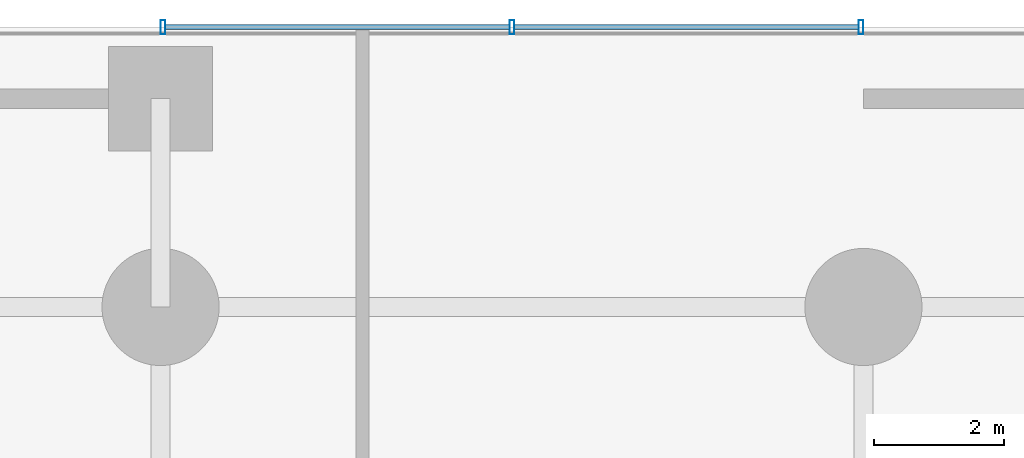
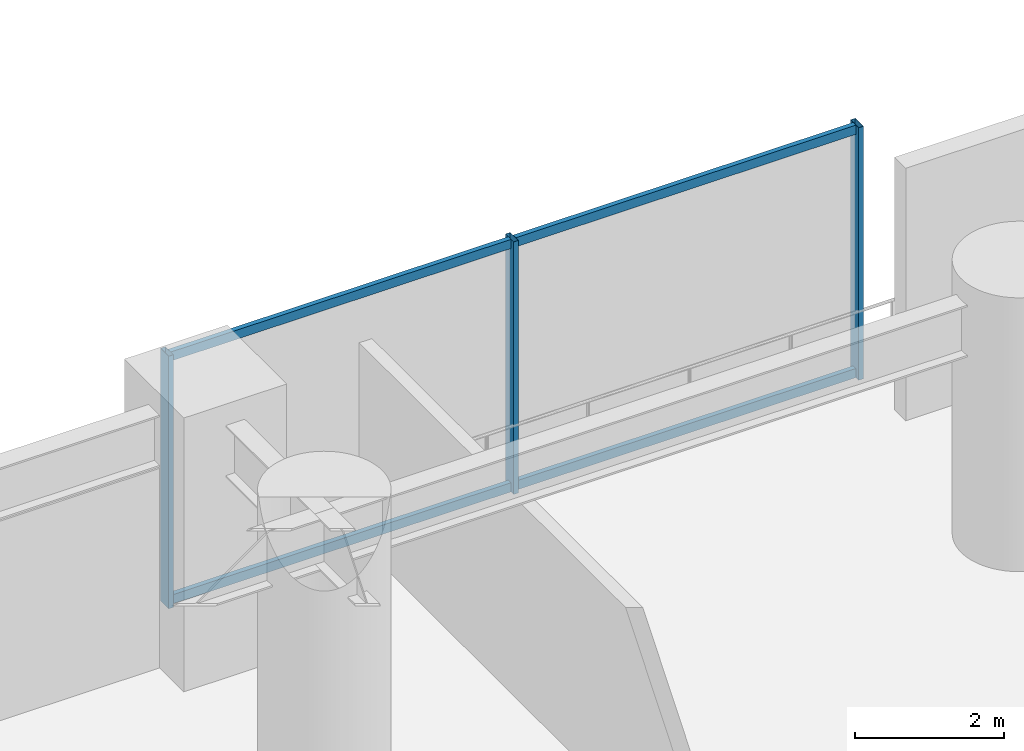
# One storey, part 17 of 35: 7 members, 1 element without a shape of its own.
"""IFC4 building model written with IfcOpenShell, lengths in metres."""

import ifcopenshell
import ifcopenshell.guid

model = None  # the IFC model being written
_history = None  # IfcOwnerHistory: only IFC2X3 demands one
_inside = {}  # id of a spatial element -> (the spatial element, [elements in it])
_under = {}  # id of a project, library or spatial element -> (it, [spatial elements below it])
_declared = {}  # id of a project -> (the project, [libraries it declares])
_typed = {}  # id of a type object -> (the type object, [elements of that type])
_made_of = {}  # id of a material, layer set ... -> (it, [elements and type objects made of it])


def new_model(schema):
    """Start an empty IFC model of exactly this schema.

    Asked for "IFC4X3", IfcOpenShell would pick the latest addendum, in which some entities
    have other attributes; the version numbers below select the first issue.
    IFC2X3 requires an IfcOwnerHistory on every rooted entity: one is made here for all.
    """
    global model, _history
    if schema == "IFC4X3":
        model = ifcopenshell.file(schema_version=(4, 3, 0, 0))
    else:
        model = ifcopenshell.file(schema=schema)
    _inside.clear()
    _under.clear()
    _declared.clear()
    _typed.clear()
    _made_of.clear()
    _history = None
    if model.schema == "IFC2X3":
        org = make("IfcOrganization", Name="unknown")
        user = make(
            "IfcPersonAndOrganization",
            ThePerson=make("IfcPerson", FamilyName="unknown"),
            TheOrganization=org,
        )
        app = make(
            "IfcApplication",
            ApplicationDeveloper=org,
            Version="unknown",
            ApplicationFullName="unknown",
            ApplicationIdentifier="unknown",
        )
        _history = make(
            "IfcOwnerHistory",
            OwningUser=user,
            OwningApplication=app,
            ChangeAction="ADDED",
            CreationDate=0,
        )
    return model


def make(cls, **values):
    """One entity of the class cls with the attributes given. An attribute that is None is left unset."""
    return model.create_entity(
        cls, **{name: value for name, value in values.items() if value is not None}
    )


def rooted(cls, **values):
    """An entity with a GlobalId (a new one), such as an element, a storey or a relation."""
    return make(cls, GlobalId=ifcopenshell.guid.new(), OwnerHistory=_history, **values)


def si_unit(unit_type, name, prefix=None):
    """IfcSIUnit, for example si_unit("LENGTHUNIT", "METRE", prefix="MILLI")."""
    return make("IfcSIUnit", UnitType=unit_type, Prefix=prefix, Name=name)


def assignment(units):
    """IfcUnitAssignment: the units of a project."""
    return None if units is None else make("IfcUnitAssignment", Units=units)


def point(xyz):
    """IfcCartesianPoint."""
    return None if xyz is None else make("IfcCartesianPoint", Coordinates=xyz)


def direction(xyz):
    """IfcDirection."""
    return None if xyz is None else make("IfcDirection", DirectionRatios=xyz)


def frame(location, z_axis=None, x_axis=None):
    """IfcAxis2Placement3D, a coordinate frame: its origin and axes. An axis left out is left unset."""
    return make(
        "IfcAxis2Placement3D",
        Location=point(location),
        Axis=direction(z_axis),
        RefDirection=direction(x_axis),
    )


def frame_2d(location, x_axis=None):
    """IfcAxis2Placement2D, a coordinate frame in the plane: its origin and x axis."""
    return make(
        "IfcAxis2Placement2D", Location=point(location), RefDirection=direction(x_axis)
    )


def origin():
    """The frame at (0, 0, 0) with its axes left unset."""
    return frame((0.0, 0.0, 0.0))


def origin_2d():
    """The frame at (0, 0) in the plane with its x axis left unset."""
    return frame_2d((0.0, 0.0))


def place(relative_to, where):
    """IfcLocalPlacement: puts the frame where relative to a parent placement (None: the world)."""
    return make(
        "IfcLocalPlacement", PlacementRelTo=relative_to, RelativePlacement=where
    )


def context(
    kind, dimensions, precision=None, world=None, true_north=None, identifier=None
):
    """IfcGeometricRepresentationContext, for example the 3D "Model" context."""
    return make(
        "IfcGeometricRepresentationContext",
        ContextIdentifier=identifier,
        ContextType=kind,
        CoordinateSpaceDimension=dimensions,
        Precision=precision,
        WorldCoordinateSystem=world,
        TrueNorth=true_north,
    )


def subcontext(parent, identifier, kind, view, scale=None):
    """IfcGeometricRepresentationSubContext, for example "Body" below "Model"."""
    return make(
        "IfcGeometricRepresentationSubContext",
        ContextIdentifier=identifier,
        ContextType=kind,
        ParentContext=parent,
        TargetScale=scale,
        TargetView=view,
    )


def project(units=None, contexts=None):
    """IfcProject with its units and contexts."""
    return rooted(
        "IfcProject",
        Name="project",
        RepresentationContexts=contexts,
        UnitsInContext=assignment(units),
    )


def spatial(cls, under=None, at=None, **own):
    """A site, building, storey or space (cls), placed at a placement, below another one or the project."""
    s = rooted(cls, ObjectPlacement=at, **own)
    if under is not None:
        _under.setdefault(under.id(), (under, []))[1].append(s)
    return s


def profile(cls, at=None, kind="AREA", **sizes):
    """A parametric profile (cls). Its sizes go by their IFC names, for example OverallWidth=200.0."""
    return make(cls, ProfileType=kind, Position=at, **sizes)


def hollow_rectangle(**sizes):
    """IfcRectangleHollowProfileDef."""
    return profile("IfcRectangleHollowProfileDef", **sizes)


def extrude(swept, where, along, depth):
    """IfcExtrudedAreaSolid: the profile swept, set in the frame where, extruded along a direction by depth."""
    return make(
        "IfcExtrudedAreaSolid",
        SweptArea=swept,
        Position=where,
        ExtrudedDirection=direction(along),
        Depth=depth,
    )


def shape(context_of_items, identifier, shape_type, items):
    """IfcShapeRepresentation: the items that make up one representation, for example the "Body"."""
    return make(
        "IfcShapeRepresentation",
        ContextOfItems=context_of_items,
        RepresentationIdentifier=identifier,
        RepresentationType=shape_type,
        Items=items,
    )


def material(Name=None, Category=None):
    """IfcMaterial."""
    return make("IfcMaterial", Name=Name, Category=Category)


def layer(
    of_material, thickness, ventilated=None, Name=None, Category=None, Priority=None
):
    """IfcMaterialLayer: one layer of a wall or slab, of a material (None: an air gap)."""
    return make(
        "IfcMaterialLayer",
        Material=of_material,
        LayerThickness=thickness,
        IsVentilated=ventilated,
        Name=Name,
        Category=Category,
        Priority=Priority,
    )


def layer_set(layers, Name=None):
    """IfcMaterialLayerSet."""
    return make("IfcMaterialLayerSet", MaterialLayers=layers, LayerSetName=Name)


def material_profile(
    of_material, cross_section, Name=None, Category=None, Priority=None
):
    """IfcMaterialProfile: a cross section and its material."""
    return make(
        "IfcMaterialProfile",
        Name=Name,
        Material=of_material,
        Profile=cross_section,
        Priority=Priority,
        Category=Category,
    )


def profile_set(profiles, Name=None, composite=None):
    """IfcMaterialProfileSet."""
    return make(
        "IfcMaterialProfileSet",
        Name=Name,
        MaterialProfiles=profiles,
        CompositeProfile=composite,
    )


def made_of(thing, what):
    """Note that an element or type object is made of a material, layer set ...; save() writes the relation."""
    if what is not None:
        _made_of.setdefault(what.id(), (what, []))[1].append(thing)
    return thing


def type_object(cls, material=None, **own):
    """A type object (cls), such as IfcWallType, which elements share."""
    return made_of(rooted(cls, **own), material)


def element(
    cls,
    number,
    at=None,
    inside=None,
    cuts=None,
    type_object=None,
    material=None,
    context=None,
    identifier="Body",
    shape_type=None,
    held_by="IfcProductDefinitionShape",
    body=None,
    shapes=None,
    **own,
):
    """One element of the class cls, such as IfcWall. Its Tag is "e" and its number.

    at: its placement. inside: the storey or other place that contains it. cuts: it is an
    opening in that element (IfcRelVoidsElement). A single representation is given by context,
    identifier, shape_type and body (its items); several are given by shapes. held_by: the class
    of the entity that holds the representations. save() writes the other relations.
    """
    e = rooted(cls, Tag="e%d" % number, ObjectPlacement=at, **own)
    if body is not None:
        shapes = [shape(context, identifier, shape_type, body)]
    if shapes is not None:
        e.Representation = make(held_by, Representations=shapes)
    if inside is not None:
        _inside.setdefault(inside.id(), (inside, []))[1].append(e)
    if cuts is not None:
        rooted(
            "IfcRelVoidsElement", RelatingBuildingElement=cuts, RelatedOpeningElement=e
        )
    if type_object is not None:
        _typed.setdefault(type_object.id(), (type_object, []))[1].append(e)
    return made_of(e, material)


def aggregate(whole, parts):
    """IfcRelAggregates: a whole, such as a stair, and the parts it consists of."""
    return rooted("IfcRelAggregates", RelatingObject=whole, RelatedObjects=parts)


def save(model, path):
    """Write the relations noted so far, then the file.

    IfcRelAggregates (storeys below a building ...), IfcRelContainedInSpatialStructure (elements
    in a storey), IfcRelDefinesByType, IfcRelAssociatesMaterial and IfcRelDeclares: one each for
    every whole, place, type object, material and project.
    """
    for whole, parts in _under.values():
        aggregate(whole, parts)
    for where, things in _inside.values():
        rooted(
            "IfcRelContainedInSpatialStructure",
            RelatedElements=things,
            RelatingStructure=where,
        )
    for kind, things in _typed.values():
        rooted("IfcRelDefinesByType", RelatedObjects=things, RelatingType=kind)
    for what, things in _made_of.values():
        rooted("IfcRelAssociatesMaterial", RelatedObjects=things, RelatingMaterial=what)
    for by, libraries in _declared.values():
        rooted("IfcRelDeclares", RelatingContext=by, RelatedDefinitions=libraries)
    model.write(path)


model = new_model("IFC4")

# Units and contexts
model_context = context("Model", 3, precision=1e-05, world=origin(), true_north=direction((0.0, 1.0)))
body_context = subcontext(model_context, "Body", "Model", "MODEL_VIEW")
ifc_project = project(units=[si_unit("LENGTHUNIT", "METRE"), si_unit("AREAUNIT", "SQUARE_METRE"), si_unit("VOLUMEUNIT", "CUBIC_METRE"), si_unit("PLANEANGLEUNIT", "RADIAN"), si_unit("MASSUNIT", "GRAM", prefix="KILO")], contexts=[model_context])

# Site, building, storey
site_placement = place(None, origin())
site = spatial("IfcSite", under=ifc_project, at=site_placement, CompositionType="ELEMENT")
building_placement = place(site_placement, origin())
building = spatial("IfcBuilding", under=site, at=building_placement, Name="Surkhivell Harbour Commons", CompositionType="ELEMENT")
storey_placement = place(building_placement, frame((0.0, 0.0, 13.5)))
storey = spatial("IfcBuildingStorey", under=building, at=storey_placement, Name="L03", CompositionType="ELEMENT", Elevation=13.5)

# Curtain wall, members
ifc_material_1 = material(Name="Anodised pale-metal aluminium and insulated glazing", Category="aluminium")
ifc_layer = layer(ifc_material_1, 0.239990234375)
ifc_layer_set = layer_set([ifc_layer], Name="Anodised pale-metal aluminium and insulated glazing")
curtain_wall_type = type_object("IfcCurtainWallType", Name="CW-SYS-POD", PredefinedType="NOTDEFINED", material=ifc_layer_set)
curtain_wall_placement = place(storey_placement, origin())
curtain_wall = element("IfcCurtainWall", 1, at=curtain_wall_placement, inside=storey, type_object=curtain_wall_type, Name="L03 Curtain Wall CW-L03-N6", PredefinedType="NOTDEFINED")
ifc_material_2 = material(Name="Anodised pale-metal aluminium alloy 6063-T6", Category="aluminium")
ifc_material_profile_1 = material_profile(ifc_material_2, hollow_rectangle(XDim=0.074951171875, YDim=0.219970703125, WallThickness=0.00390625, at=origin_2d()), Name="ALU-MULL-75x220")
ifc_profile_set_1 = profile_set([ifc_material_profile_1], Name="Anodised pale-metal aluminium alloy 6063-T6")
member_type_1 = type_object("IfcMemberType", Name="CWM-220", PredefinedType="MULLION", material=ifc_profile_set_1)
member_1_placement = place(storey_placement, frame((10.83740234375, 25.89990234375, 0.0), z_axis=(0.0, 0.0, 1.0), x_axis=(1.0, 0.0, 0.0)))
member_1 = element("IfcMember", 2, at=member_1_placement, type_object=member_type_1, Name="CW-POD mullion 1", PredefinedType="MULLION", context=body_context, shape_type="SweptSolid", body=[
    extrude(hollow_rectangle(XDim=0.074951171875, YDim=0.219970703125, WallThickness=0.00390625, at=origin_2d()), origin(), (0.0, 0.0, 1.0), 4.14990234375),
])
member_2_placement = place(storey_placement, frame((16.199951171875, 25.89990234375, 0.0), z_axis=(0.0, 0.0, 1.0), x_axis=(1.0, 0.0, 0.0)))
member_2 = element("IfcMember", 3, at=member_2_placement, type_object=member_type_1, Name="CW-POD mullion 2", PredefinedType="MULLION", context=body_context, shape_type="SweptSolid", body=[
    extrude(hollow_rectangle(XDim=0.074951171875, YDim=0.219970703125, WallThickness=0.00390625, at=origin_2d()), origin(), (0.0, 0.0, 1.0), 4.14990234375),
])
member_3_placement = place(storey_placement, frame((21.5625, 25.89990234375, 0.0), z_axis=(0.0, 0.0, 1.0), x_axis=(1.0, 0.0, 0.0)))
member_3 = element("IfcMember", 4, at=member_3_placement, type_object=member_type_1, Name="CW-POD mullion 3", PredefinedType="MULLION", context=body_context, shape_type="SweptSolid", body=[
    extrude(hollow_rectangle(XDim=0.074951171875, YDim=0.219970703125, WallThickness=0.00390625, at=origin_2d()), origin(), (0.0, 0.0, 1.0), 4.14990234375),
])
ifc_material_profile_2 = material_profile(ifc_material_2, hollow_rectangle(XDim=0.074951171875, YDim=0.14990234375, WallThickness=0.00341796875, at=origin_2d()), Name="ALU-TRAN-75x150")
ifc_profile_set_2 = profile_set([ifc_material_profile_2], Name="Anodised pale-metal aluminium alloy 6063-T6")
member_type_2 = type_object("IfcMemberType", Name="CWT-150", PredefinedType="USERDEFINED", material=ifc_profile_set_2)
member_4_placement = place(storey_placement, frame((10.875, 25.89990234375, 0.074951171875), z_axis=(1.0, 0.0, 0.0), x_axis=(0.0, 1.0, 0.0)))
member_4 = element("IfcMember", 5, at=member_4_placement, type_object=member_type_2, Name="CW-POD transom 1.1", ObjectType="TRANSOM", PredefinedType="USERDEFINED", context=body_context, shape_type="SweptSolid", body=[
    extrude(hollow_rectangle(XDim=0.074951171875, YDim=0.14990234375, WallThickness=0.00341796875, at=origin_2d()), origin(), (0.0, 0.0, 1.0), 5.28759765625),
])
member_5_placement = place(storey_placement, frame((10.875, 25.89990234375, 4.074951171875), z_axis=(1.0, 0.0, 0.0), x_axis=(0.0, 1.0, 0.0)))
member_5 = element("IfcMember", 6, at=member_5_placement, type_object=member_type_2, Name="CW-POD transom 1.2", ObjectType="TRANSOM", PredefinedType="USERDEFINED", context=body_context, shape_type="SweptSolid", body=[
    extrude(hollow_rectangle(XDim=0.074951171875, YDim=0.14990234375, WallThickness=0.00341796875, at=origin_2d()), origin(), (0.0, 0.0, 1.0), 5.28759765625),
])
member_6_placement = place(storey_placement, frame((16.237548828125, 25.89990234375, 0.074951171875), z_axis=(1.0, 0.0, 0.0), x_axis=(0.0, 1.0, 0.0)))
member_6 = element("IfcMember", 7, at=member_6_placement, type_object=member_type_2, Name="CW-POD transom 2.1", ObjectType="TRANSOM", PredefinedType="USERDEFINED", context=body_context, shape_type="SweptSolid", body=[
    extrude(hollow_rectangle(XDim=0.074951171875, YDim=0.14990234375, WallThickness=0.00341796875, at=origin_2d()), origin(), (0.0, 0.0, 1.0), 5.287353515625),
])
member_7_placement = place(storey_placement, frame((16.237548828125, 25.89990234375, 4.074951171875), z_axis=(1.0, 0.0, 0.0), x_axis=(0.0, 1.0, 0.0)))
member_7 = element("IfcMember", 8, at=member_7_placement, type_object=member_type_2, Name="CW-POD transom 2.2", ObjectType="TRANSOM", PredefinedType="USERDEFINED", context=body_context, shape_type="SweptSolid", body=[
    extrude(hollow_rectangle(XDim=0.074951171875, YDim=0.14990234375, WallThickness=0.00341796875, at=origin_2d()), origin(), (0.0, 0.0, 1.0), 5.287353515625),
])
aggregate(curtain_wall, [member_1, member_2, member_3, member_4, member_5, member_6, member_7])

save(model, "model.ifc")
